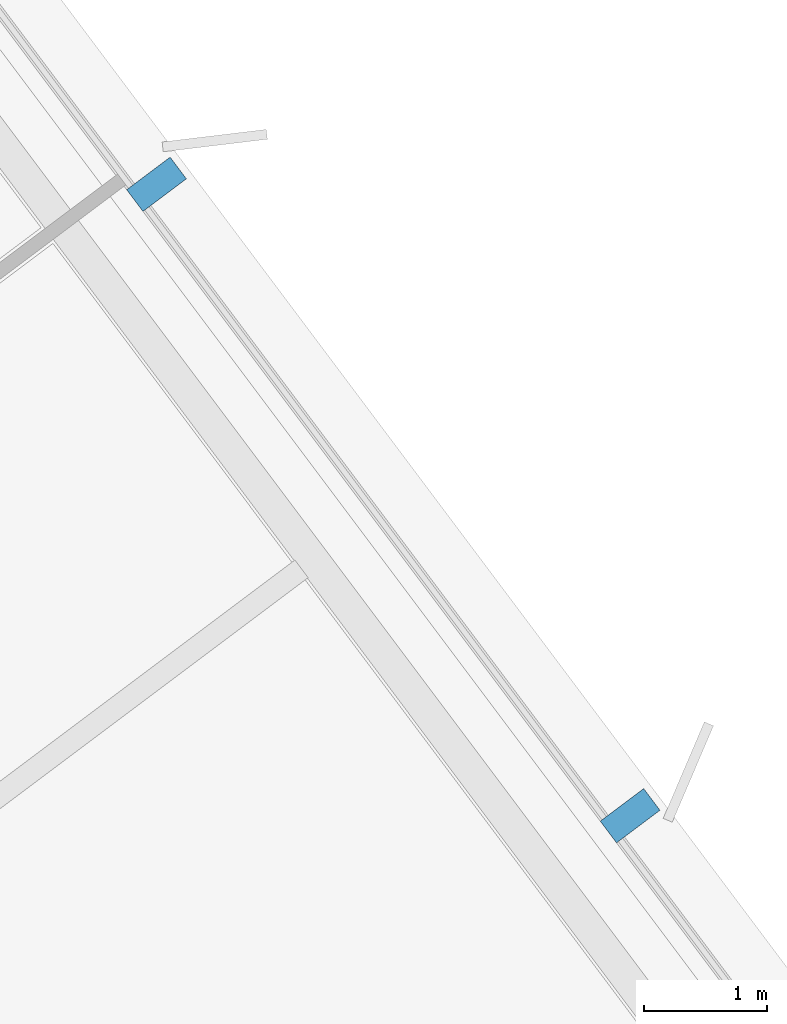
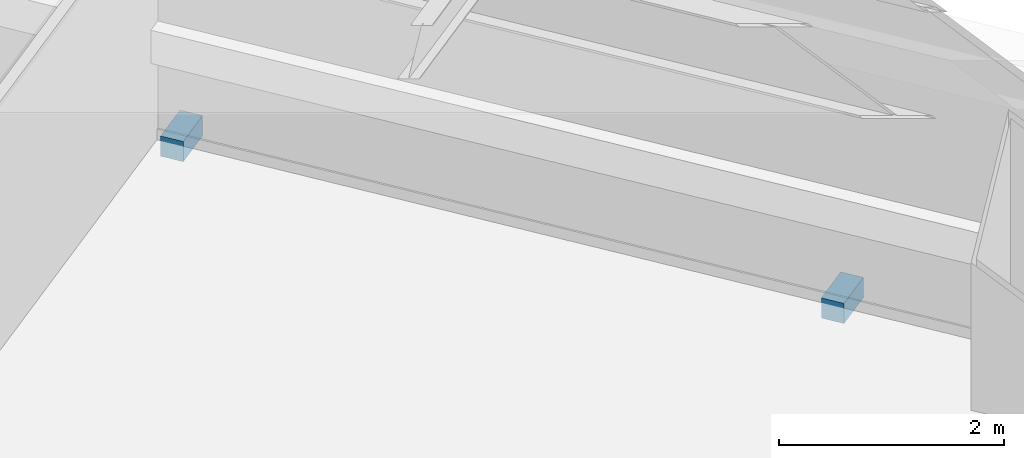
# One storey, part 41 of 49: 2 discrete accessories.
"""IFC4 building model written with IfcOpenShell, lengths in metres."""

from ifc_helpers import new_model, si_unit, direction, frame, origin, origin_2d, place, context, subcontext, project, spatial, rectangle, extrude, material, type_object, element, save


model = new_model("IFC4")

# Units and contexts
model_context = context("Model", 3, precision=1e-05, world=origin(), true_north=direction((0.0, 1.0)))
body_context = subcontext(model_context, "Body", "Model", "MODEL_VIEW")
ifc_project = project(units=[si_unit("LENGTHUNIT", "METRE"), si_unit("AREAUNIT", "SQUARE_METRE"), si_unit("VOLUMEUNIT", "CUBIC_METRE"), si_unit("PLANEANGLEUNIT", "RADIAN"), si_unit("MASSUNIT", "GRAM", prefix="KILO")], contexts=[model_context])

# Site, building, storey
site_placement = place(None, origin())
site = spatial("IfcSite", under=ifc_project, at=site_placement, CompositionType="ELEMENT")
building_placement = place(site_placement, origin())
building = spatial("IfcBuilding", under=site, at=building_placement, Name="Tashvorn Skyway Center", CompositionType="ELEMENT")
storey_placement = place(building_placement, frame((0.0, 0.0, 70.75)))
storey = spatial("IfcBuildingStorey", under=building, at=storey_placement, Name="L18", CompositionType="ELEMENT", Elevation=70.75)

# Discrete accessories
ifc_material = material(Name="Steel ASTM A572 Grade 50", Category="steel")
discrete_accessory_type = type_object("IfcDiscreteAccessoryType", Name="ACC-BRACKET-350", PredefinedType="BRACKET", material=ifc_material)
for number, where, z_axis, x_axis, name in (
    (1, (131.968017578125, 41.47607421875, -0.169921875), (0.0, 0.0, 1.0), (0.600000004945, -0.799999996291, 0.0), "Tower 2 L18 Solar Screen Fixing Bracket E1"),
    (2, (128.1279296875, 46.595947265625, -0.169921875), (0.0, 0.0, 1.0), (0.600000004945, -0.799999996291, 0.0), "Tower 2 L18 Solar Screen Fixing Bracket E2"),
):
    element("IfcDiscreteAccessory", number, at=place(storey_placement, frame(where, z_axis=z_axis, x_axis=x_axis)), inside=storey, type_object=discrete_accessory_type, Name=name, PredefinedType="BRACKET", context=body_context, shape_type="SweptSolid", body=[
        extrude(rectangle(XDim=0.219970703125, YDim=0.43994140625, at=origin_2d()), origin(), (0.0, 0.0, 1.0), 0.219970703125),
    ])

save(model, "model.ifc")
